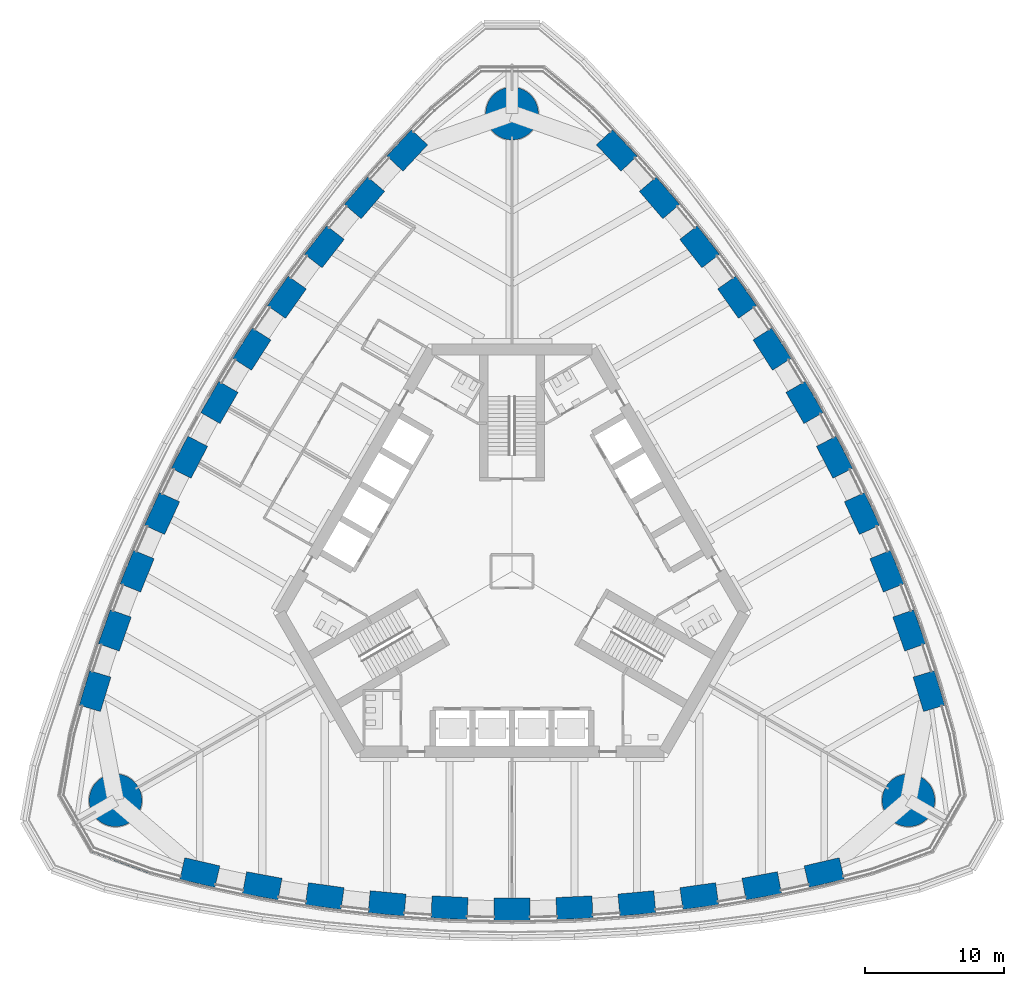
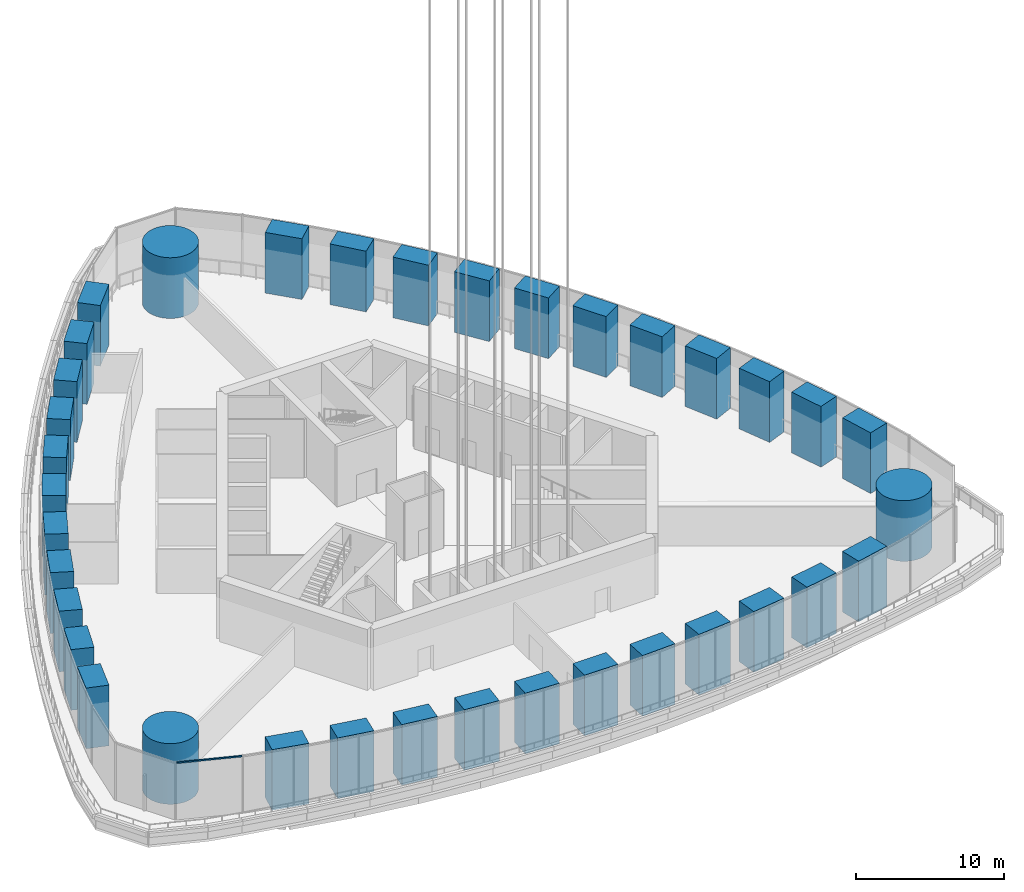
# One storey, part 1 of 31: 36 columns, 1 member, 1 element without a shape of its own.
"""IFC4 building model written with IfcOpenShell, lengths in metres."""

from ifc_helpers import new_model, si_unit, direction, frame, origin, origin_2d, place, context, subcontext, project, spatial, rectangle, circle, extrude, material, material_profile, profile_set, type_object, element, aggregate, save


model = new_model("IFC4")

# Units and contexts
model_context = context("Model", 3, precision=1e-05, world=origin(), true_north=direction((0.0, 1.0)))
body_context = subcontext(model_context, "Body", "Model", "MODEL_VIEW")
ifc_project = project(units=[si_unit("LENGTHUNIT", "METRE"), si_unit("AREAUNIT", "SQUARE_METRE"), si_unit("VOLUMEUNIT", "CUBIC_METRE"), si_unit("PLANEANGLEUNIT", "RADIAN"), si_unit("MASSUNIT", "GRAM", prefix="KILO")], contexts=[model_context])

# Site, building, storey
site_placement = place(None, origin())
site = spatial("IfcSite", under=ifc_project, at=site_placement, CompositionType="ELEMENT")
building_placement = place(site_placement, origin())
building = spatial("IfcBuilding", under=site, at=building_placement, Name="Trefoil Bronze Tower", CompositionType="ELEMENT")
storey_placement = place(building_placement, frame((0.0, 0.0, 184.699951171875)))
storey = spatial("IfcBuildingStorey", under=building, at=storey_placement, Name="L42", CompositionType="ELEMENT", Elevation=184.699951171875)

# Columns
ifc_material_1 = material(Name="Concrete B80", Category="concrete")
ifc_material_profile_1 = material_profile(ifc_material_1, circle(Radius=1.89990234375, at=origin_2d()), Name="RC D3800")
ifc_profile_set_1 = profile_set([ifc_material_profile_1], Name="Concrete B80")
column_type_1 = type_object("IfcColumnType", Name="Mega column RC D3800", PredefinedType="COLUMN", material=ifc_profile_set_1)
for number, where, z_axis, x_axis, name in (
    (1, (28.578857421875, -16.5, 0.0), (0.0, 0.0, 1.0), (1.0, 0.0, 0.0), "Mega column K1 L42"),
    (2, (0.0, 33.0, 0.0), (0.0, 0.0, 1.0), (1.0, 0.0, 0.0), "Mega column K2 L42"),
    (3, (-28.578857421875, -16.5, 0.0), (0.0, 0.0, 1.0), (1.0, 0.0, 0.0), "Mega column K3 L42"),
):
    element("IfcColumn", number, at=place(storey_placement, frame(where, z_axis=z_axis, x_axis=x_axis)), inside=storey, type_object=column_type_1, Name=name, PredefinedType="COLUMN", context=body_context, shape_type="SweptSolid", body=[
        extrude(circle(Radius=1.89990234375, at=origin_2d()), origin(), (0.0, 0.0, 1.0), 5.0),
    ])
ifc_material_2 = material(Name="Concrete B80", Category="concrete")
ifc_material_profile_2 = material_profile(ifc_material_2, rectangle(XDim=2.60009765625, YDim=1.60009765625, at=origin_2d()), Name="RC 2600x1600")
ifc_profile_set_2 = profile_set([ifc_material_profile_2], Name="Concrete B80")
column_type_2 = type_object("IfcColumnType", Name="Tube column RC 2600x1600", PredefinedType="COLUMN", material=ifc_profile_set_2)
for number, where, z_axis, x_axis, name in (
    (4, (-22.5, -21.71044921875, 0.0), (0.0, 0.0, 1.0), (0.973875487093, -0.227082662569, 0.0), "Tube column F1/-5 L42"),
    (5, (-18.0, -22.6689453125, 0.0), (0.0, 0.0, 1.0), (0.982958917767, -0.183825368167, 0.0), "Tube column F1/-4 L42"),
    (6, (-13.5, -23.408447265625, 0.0), (0.0, 0.0, 1.0), (0.990450627582, -0.137867887204, 0.0), "Tube column F1/-3 L42"),
    (7, (-9.0, -23.932861328125, 0.0), (0.0, 0.0, 1.0), (0.995767189263, -0.091911396394, 0.0), "Tube column F1/-2 L42"),
    (8, (-4.5, -24.246337890625, 0.0), (0.0, 0.0, 1.0), (0.998943485952, -0.045955542372, 0.0), "Tube column F1/-1 L42"),
    (9, (0.0, -24.3505859375, 0.0), (0.0, 0.0, 1.0), (1.0, 0.0, 0.0), "Tube column F1/+0 L42"),
    (10, (4.5, -24.246337890625, 0.0), (0.0, 0.0, 1.0), (0.998943485952, 0.045955542372, 0.0), "Tube column F1/+1 L42"),
    (11, (9.0, -23.932861328125, 0.0), (0.0, 0.0, 1.0), (0.995767189263, 0.091911396394, 0.0), "Tube column F1/+2 L42"),
    (12, (13.5, -23.408447265625, 0.0), (0.0, 0.0, 1.0), (0.990450627582, 0.137867887204, 0.0), "Tube column F1/+3 L42"),
    (13, (18.0, -22.6689453125, 0.0), (0.0, 0.0, 1.0), (0.982958917767, 0.183825368167, 0.0), "Tube column F1/+4 L42"),
    (14, (22.5, -21.71044921875, 0.0), (0.0, 0.0, 1.0), (0.973875487093, 0.227082662569, 0.0), "Tube column F1/+5 L42"),
    (15, (30.052001953125, -8.63037109375, 0.0), (0.0, 0.0, 1.0), (-0.290278389002, 0.95694224323, 0.0), "Tube column F2/-5 L42"),
    (16, (28.632080078125, -4.25390625, 0.0), (0.0, 0.0, 1.0), (-0.332282020191, 0.943180077746, 0.0), "Tube column F2/-4 L42"),
    (17, (27.022216796875, 0.012939453125, 0.0), (0.0, 0.0, 1.0), (-0.375828221106, 0.926689348282, 0.0), "Tube column F2/-3 L42"),
    (18, (25.2265625, 4.17236328125, 0.0), (0.0, 0.0, 1.0), (-0.418285990457, 0.908315380354, 0.0), "Tube column F2/-2 L42"),
    (19, (23.248046875, 8.22607421875, 0.0), (0.0, 0.0, 1.0), (-0.459673075837, 0.888088206965, 0.0), "Tube column F2/-1 L42"),
    (20, (21.08837890625, 12.17529296875, 0.0), (0.0, 0.0, 1.0), (-0.5, 0.866025403784, 0.0), "Tube column F2/+0 L42"),
    (21, (18.748046875, 16.020263671875, 0.0), (0.0, 0.0, 1.0), (-0.539270410114, 0.842132664593, 0.0), "Tube column F2/+1 L42"),
    (22, (16.2265625, 19.7607421875, 0.0), (0.0, 0.0, 1.0), (-0.577481198806, 0.81640398396, 0.0), "Tube column F2/+2 L42"),
    (23, (13.522216796875, 23.3955078125, 0.0), (0.0, 0.0, 1.0), (-0.614622406476, 0.788821461078, 0.0), "Tube column F2/+3 L42"),
    (24, (10.632080078125, 26.923095703125, 0.0), (0.0, 0.0, 1.0), (-0.650676897576, 0.75935470958, 0.0), "Tube column F2/+4 L42"),
    (25, (7.552001953125, 30.3408203125, 0.0), (0.0, 0.0, 1.0), (-0.683597098091, 0.729859580661, 0.0), "Tube column F2/+5 L42"),
    (26, (-7.552001953125, 30.3408203125, 0.0), (0.0, 0.0, 1.0), (-0.683597098091, -0.729859580661, 0.0), "Tube column F3/-5 L42"),
    (27, (-10.632080078125, 26.923095703125, 0.0), (0.0, 0.0, 1.0), (-0.650676897576, -0.75935470958, 0.0), "Tube column F3/-4 L42"),
    (28, (-13.522216796875, 23.3955078125, 0.0), (0.0, 0.0, 1.0), (-0.614622406476, -0.788821461078, 0.0), "Tube column F3/-3 L42"),
    (29, (-16.2265625, 19.7607421875, 0.0), (0.0, 0.0, 1.0), (-0.577481198806, -0.81640398396, 0.0), "Tube column F3/-2 L42"),
    (30, (-18.748046875, 16.020263671875, 0.0), (0.0, 0.0, 1.0), (-0.539270410114, -0.842132664593, 0.0), "Tube column F3/-1 L42"),
    (31, (-21.08837890625, 12.17529296875, 0.0), (0.0, 0.0, 1.0), (-0.5, -0.866025403784, 0.0), "Tube column F3/+0 L42"),
    (32, (-23.248046875, 8.22607421875, 0.0), (0.0, 0.0, 1.0), (-0.459673075837, -0.888088206965, 0.0), "Tube column F3/+1 L42"),
    (33, (-25.2265625, 4.17236328125, 0.0), (0.0, 0.0, 1.0), (-0.418285990457, -0.908315380354, 0.0), "Tube column F3/+2 L42"),
    (34, (-27.022216796875, 0.012939453125, 0.0), (0.0, 0.0, 1.0), (-0.375828221106, -0.926689348282, 0.0), "Tube column F3/+3 L42"),
    (35, (-28.632080078125, -4.25390625, 0.0), (0.0, 0.0, 1.0), (-0.332282020191, -0.943180077746, 0.0), "Tube column F3/+4 L42"),
    (36, (-30.052001953125, -8.63037109375, 0.0), (0.0, 0.0, 1.0), (-0.290278389002, -0.95694224323, 0.0), "Tube column F3/+5 L42"),
):
    element("IfcColumn", number, at=place(storey_placement, frame(where, z_axis=z_axis, x_axis=x_axis)), inside=storey, type_object=column_type_2, Name=name, PredefinedType="COLUMN", context=body_context, shape_type="SweptSolid", body=[
        extrude(rectangle(XDim=2.60009765625, YDim=1.60009765625, at=origin_2d()), origin(), (0.0, 0.0, 1.0), 5.0),
    ])

# Curtain wall, member
ifc_material_3 = material(Name="Tinted solar-control glass", Category="glass")
curtain_wall_type = type_object("IfcCurtainWallType", Name="Bronze rounded corner curtain wall", PredefinedType="USERDEFINED", material=ifc_material_3)
curtain_wall_placement = place(storey_placement, origin())
curtain_wall = element("IfcCurtainWall", 37, at=curtain_wall_placement, inside=storey, type_object=curtain_wall_type, Name="CW-B L42 K3", ObjectType="CURTAIN WALL", PredefinedType="USERDEFINED")
ifc_material_4 = material(Name="Bronze-finish aluminium", Category="aluminium")
ifc_material_profile_3 = material_profile(ifc_material_4, rectangle(XDim=0.1201171875, YDim=0.10009765625, at=origin_2d()), Name="CW-B transom")
ifc_profile_set_3 = profile_set([ifc_material_profile_3], Name="Bronze-finish aluminium")
member_type = type_object("IfcMemberType", Name="Bronze rounded corner curtain wall transom", PredefinedType="USERDEFINED", material=ifc_profile_set_3)
member_placement = place(storey_placement, frame((-30.244140625, -20.195068359375, 4.929931640625), z_axis=(0.939680910753, -0.342052314664, 0.0), x_axis=(0.342052314664, 0.939680910753, 0.0)))
member = element("IfcMember", 38, at=member_placement, type_object=member_type, Name="CW-B L42 K3 transom 3", ObjectType="TRANSOM", PredefinedType="USERDEFINED", context=body_context, shape_type="SweptSolid", body=[
    extrude(rectangle(XDim=0.1201171875, YDim=0.10009765625, at=origin_2d()), origin(), (0.0, 0.0, 1.0), 4.500244140625),
])
aggregate(curtain_wall, [member])

save(model, "model.ifc")
